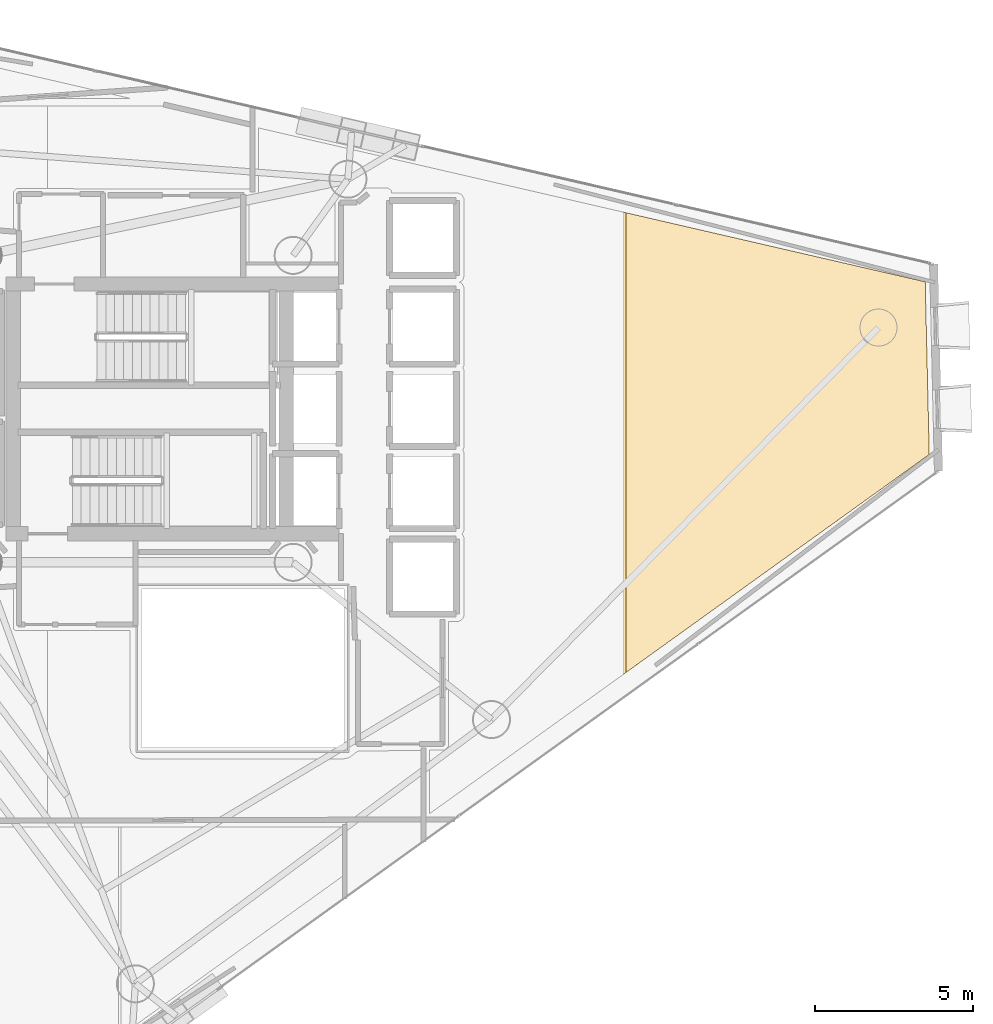
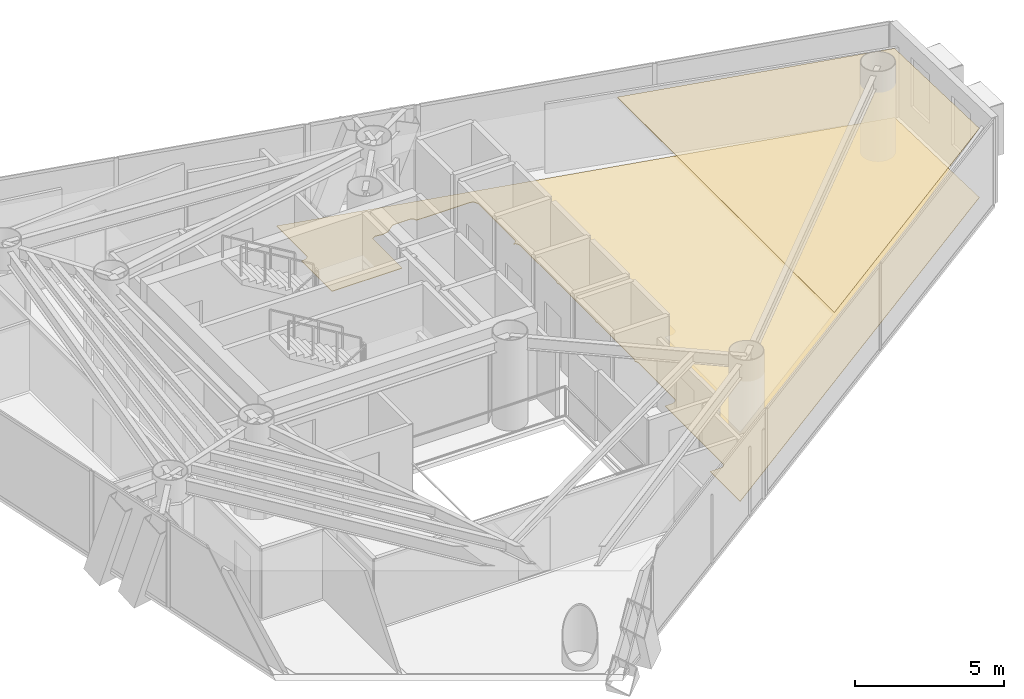
# One storey, part 22 of 22: 2 coverings.
"""IFC4 building model written with IfcOpenShell, lengths in metres."""

from ifc_helpers import new_model, si_unit, direction, frame, origin, place, context, subcontext, project, spatial, polyline, outline, extrude, material, layer, layer_set, type_object, element, save


model = new_model("IFC4")

# Units and contexts
model_context = context("Model", 3, precision=1e-05, world=origin(), true_north=direction((0.0, 1.0)))
body_context = subcontext(model_context, "Body", "Model", "MODEL_VIEW")
ifc_project = project(units=[si_unit("LENGTHUNIT", "METRE"), si_unit("AREAUNIT", "SQUARE_METRE"), si_unit("VOLUMEUNIT", "CUBIC_METRE"), si_unit("PLANEANGLEUNIT", "RADIAN"), si_unit("MASSUNIT", "GRAM", prefix="KILO")], contexts=[model_context])

# Site, building, storey
site_placement = place(None, origin())
site = spatial("IfcSite", under=ifc_project, at=site_placement, CompositionType="ELEMENT")
building_placement = place(site_placement, origin())
building = spatial("IfcBuilding", under=site, at=building_placement, Name="Qianvela Tower", CompositionType="ELEMENT")
storey_placement = place(building_placement, frame((0.0, 0.0, 200.300048828125)))
storey = spatial("IfcBuildingStorey", under=building, at=storey_placement, Name="L51", CompositionType="ELEMENT", Elevation=200.300048828125)

# Coverings
ifc_material_1 = material(Name="Perforated Mineral Acoustic Ceiling Tile")
ifc_layer_1 = layer(ifc_material_1, 0.02490234375)
ifc_layer_set_1 = layer_set([ifc_layer_1], Name="Perforated Mineral Acoustic Ceiling Tile")
covering_type_1 = type_object("IfcCoveringType", Name="COV-CEIL-ACOUSTIC-25", PredefinedType="CEILING", material=ifc_layer_set_1)
covering_1_placement = place(storey_placement, frame((0.0, 0.0, 2.81494140625)))
element("IfcCovering", 1, at=covering_1_placement, inside=storey, type_object=covering_type_1, Name="L51 Acoustic Ceiling Bay 2 Collaborative Co-working Office L51-02", PredefinedType="CEILING", context=body_context, shape_type="SweptSolid", body=[
    extrude(outline(polyline([(58.373779296875, 32.71533203125), (58.5009765625, 27.259033203125), (48.924560546875, 20.37451171875), (48.924560546875, 34.8955078125), (58.373779296875, 32.71533203125)])), origin(), (0.0, 0.0, 1.0), 0.02490234375),
])
ifc_material_2 = material(Name="Engineered Acoustic Oak Timber Flooring", Category="wood")
ifc_layer_2 = layer(ifc_material_2, 0.02001953125)
ifc_layer_set_2 = layer_set([ifc_layer_2], Name="Engineered Acoustic Oak Timber Flooring")
covering_type_2 = type_object("IfcCoveringType", Name="COV-FLOOR-OAK-20", PredefinedType="FLOORING", material=ifc_layer_set_2)
covering_2_placement = place(storey_placement, origin())
element("IfcCovering", 2, at=covering_2_placement, inside=storey, type_object=covering_type_2, Name="L51 Finish Flooring Collaborative Co-working Office L51-02", PredefinedType="FLOORING", context=body_context, shape_type="SweptSolid", body=[
    extrude(outline(polyline([(42.709716796875, 15.906494140625), (42.70751953125, 17.920166015625), (43.157958984375, 17.92041015625), (43.165771484375, 17.9208984375), (43.173583984375, 17.921875), (43.18115234375, 17.923828125), (43.1884765625, 17.926513671875), (43.195556640625, 17.9296875), (43.202392578125, 17.933837890625), (43.20849609375, 17.9384765625), (43.21435546875, 17.94384765625), (43.2861328125, 18.015625), (43.29150390625, 18.021484375), (43.296142578125, 18.027587890625), (43.30029296875, 18.034423828125), (43.303466796875, 18.04150390625), (43.30615234375, 18.048828125), (43.30810546875, 18.056640625), (43.30908203125, 18.064208984375), (43.3095703125, 18.072265625), (43.309326171875, 21.980712890625), (43.60791015625, 21.982666015625), (43.615478515625, 21.983154296875), (43.623291015625, 21.984375), (43.630859375, 21.986083984375), (43.637939453125, 21.98876953125), (43.64501953125, 21.9921875), (43.716796875, 22.030517578125), (43.723388671875, 22.034423828125), (43.729736328125, 22.039306640625), (43.735595703125, 22.04443359375), (43.74072265625, 22.05029296875), (43.74560546875, 22.056640625), (43.74951171875, 22.063232421875), (43.787841796875, 22.135009765625), (43.791259765625, 22.14208984375), (43.7939453125, 22.1494140625), (43.7958984375, 22.156982421875), (43.796875, 22.164794921875), (43.79736328125, 22.172607421875), (43.79931640625, 24.61376953125), (43.799072265625, 24.62060546875), (43.798095703125, 24.627685546875), (43.79638671875, 24.634765625), (43.79443359375, 24.641357421875), (43.79150390625, 24.64794921875), (43.751220703125, 24.733154296875), (43.74755859375, 24.739990234375), (43.743408203125, 24.74658203125), (43.738525390625, 24.752197265625), (43.780517578125, 24.81494140625), (43.784423828125, 24.821533203125), (43.787841796875, 24.82861328125), (43.79052734375, 24.8359375), (43.79248046875, 24.843505859375), (43.793701171875, 24.851318359375), (43.7939453125, 24.859130859375), (43.800048828125, 27.2998046875), (43.799560546875, 27.307861328125), (43.79833984375, 27.315673828125), (43.79638671875, 27.323486328125), (43.793701171875, 27.3310546875), (43.7646484375, 27.39990234375), (43.793701171875, 27.468994140625), (43.79638671875, 27.476318359375), (43.79833984375, 27.484130859375), (43.799560546875, 27.491943359375), (43.800048828125, 27.5), (43.800048828125, 29.89990234375), (43.799560546875, 29.907958984375), (43.79833984375, 29.915771484375), (43.79638671875, 29.923583984375), (43.793701171875, 29.93115234375), (43.7646484375, 30.0), (43.793701171875, 30.06884765625), (43.79638671875, 30.076416015625), (43.79833984375, 30.084228515625), (43.799560546875, 30.092041015625), (43.800048828125, 30.10009765625), (43.79931640625, 32.513671875), (43.798828125, 32.522705078125), (43.79736328125, 32.53125), (43.794921875, 32.539794921875), (43.79150390625, 32.5478515625), (43.751220703125, 32.63330078125), (43.74755859375, 32.64013671875), (43.743408203125, 32.646728515625), (43.73828125, 32.652587890625), (43.732666015625, 32.658203125), (43.726806640625, 32.663330078125), (43.72021484375, 32.66748046875), (43.713134765625, 32.67138671875), (43.646484375, 32.702880859375), (43.722412109375, 32.739013671875), (43.729248046875, 32.74267578125), (43.73583984375, 32.746826171875), (43.741943359375, 32.751953125), (43.74755859375, 32.757568359375), (43.75244140625, 32.763427734375), (43.7568359375, 32.77001953125), (43.760498046875, 32.777099609375), (43.763427734375, 32.7841796875), (43.79541015625, 32.873046875), (43.79736328125, 32.879638671875), (43.798828125, 32.886474609375), (43.7998046875, 32.893310546875), (43.800048828125, 32.900146484375), (43.79736328125, 35.327392578125), (43.796875, 35.3359375), (43.79541015625, 35.344482421875), (43.793212890625, 35.352783203125), (43.7900390625, 35.36083984375), (43.785888671875, 35.368408203125), (43.7373046875, 35.44921875), (43.732666015625, 35.456298828125), (43.727294921875, 35.462890625), (43.72119140625, 35.46875), (43.71435546875, 35.47412109375), (43.70703125, 35.478515625), (43.699462890625, 35.482177734375), (43.624267578125, 35.51318359375), (43.616943359375, 35.515869140625), (43.609375, 35.517822265625), (43.6015625, 35.518798828125), (43.59375, 35.519287109375), (41.515625, 35.52001953125), (41.513916015625, 35.554931640625), (41.512939453125, 35.563232421875), (41.51123046875, 35.5712890625), (41.508544921875, 35.5791015625), (41.50537109375, 35.5869140625), (41.501220703125, 35.593994140625), (41.496337890625, 35.6005859375), (41.49072265625, 35.60693359375), (41.484619140625, 35.612548828125), (41.426513671875, 35.660400390625), (41.419921875, 35.6650390625), (41.413330078125, 35.6689453125), (41.406005859375, 35.67236328125), (41.398681640625, 35.675048828125), (41.39111328125, 35.677001953125), (41.38330078125, 35.677978515625), (41.37548828125, 35.678466796875), (40.726806640625, 35.676513671875), (40.718994140625, 35.67626953125), (40.71142578125, 35.675048828125), (40.7041015625, 35.67333984375), (40.697021484375, 35.670654296875), (40.68994140625, 35.66748046875), (40.683349609375, 35.663818359375), (40.677001953125, 35.6591796875), (40.35986328125, 35.40673828125), (40.129150390625, 35.36083984375), (39.884521484375, 35.402099609375), (39.87646484375, 35.403076171875), (39.8681640625, 35.4033203125), (39.860107421875, 35.402587890625), (39.85205078125, 35.40087890625), (39.84423828125, 35.398681640625), (39.8369140625, 35.3955078125), (39.82958984375, 35.3916015625), (39.822998046875, 35.38720703125), (39.7578125, 35.337890625), (39.75146484375, 35.332763671875), (39.745849609375, 35.326904296875), (39.74072265625, 35.3203125), (39.736328125, 35.3134765625), (39.732666015625, 35.30615234375), (39.729736328125, 35.298583984375), (39.727783203125, 35.29052734375), (39.726318359375, 35.282470703125), (39.72607421875, 35.2744140625), (39.72021484375, 33.342041015625), (37.010009765625, 33.342041015625), (37.010009765625, 35.40087890625), (37.165771484375, 35.401611328125), (37.174072265625, 35.402099609375), (37.18212890625, 35.4033203125), (37.190185546875, 35.405517578125), (37.197998046875, 35.408447265625), (37.205322265625, 35.412109375), (37.21240234375, 35.416748046875), (37.21875, 35.421875), (37.224609375, 35.427734375), (37.288818359375, 35.498291015625), (37.29345703125, 35.50390625), (37.297607421875, 35.510009765625), (37.30126953125, 35.5166015625), (37.30419921875, 35.523193359375), (37.306640625, 35.5302734375), (37.308349609375, 35.53759765625), (37.309326171875, 35.544921875), (37.3095703125, 35.552001953125), (37.31005859375, 37.57568359375), (58.373779296875, 32.71533203125), (58.5009765625, 27.259033203125), (42.709716796875, 15.906494140625)])), origin(), (0.0, 0.0, 1.0), 0.02001953125),
])

save(model, "model.ifc")
